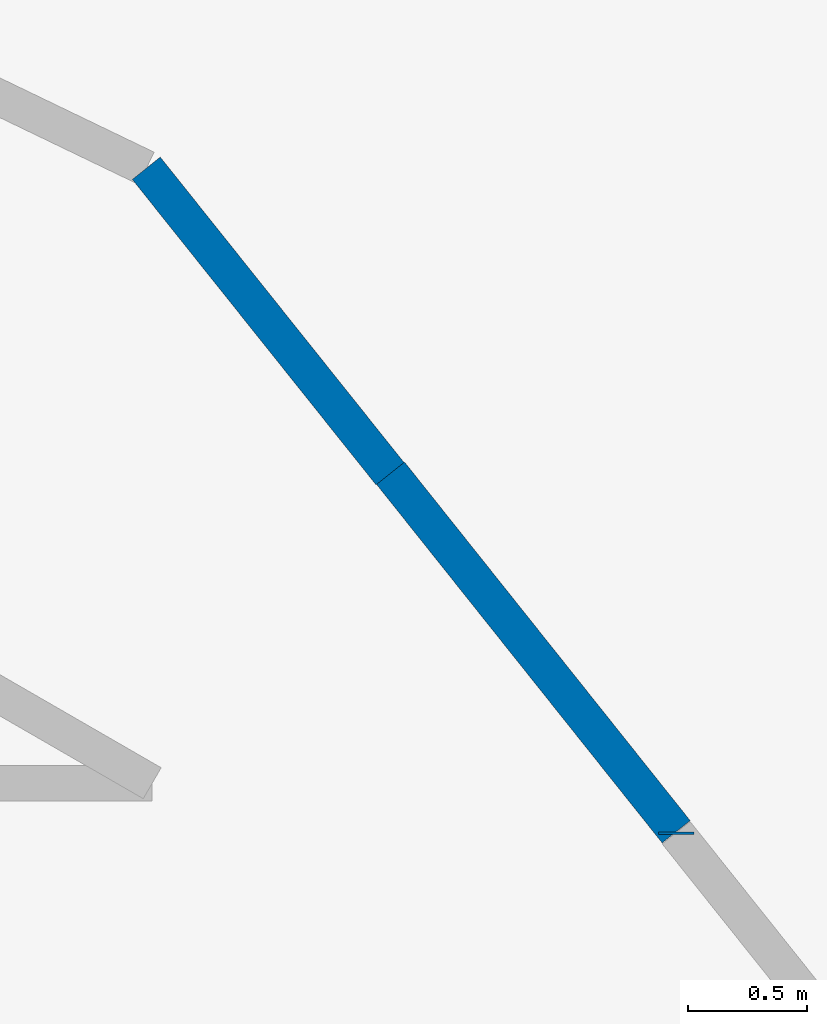
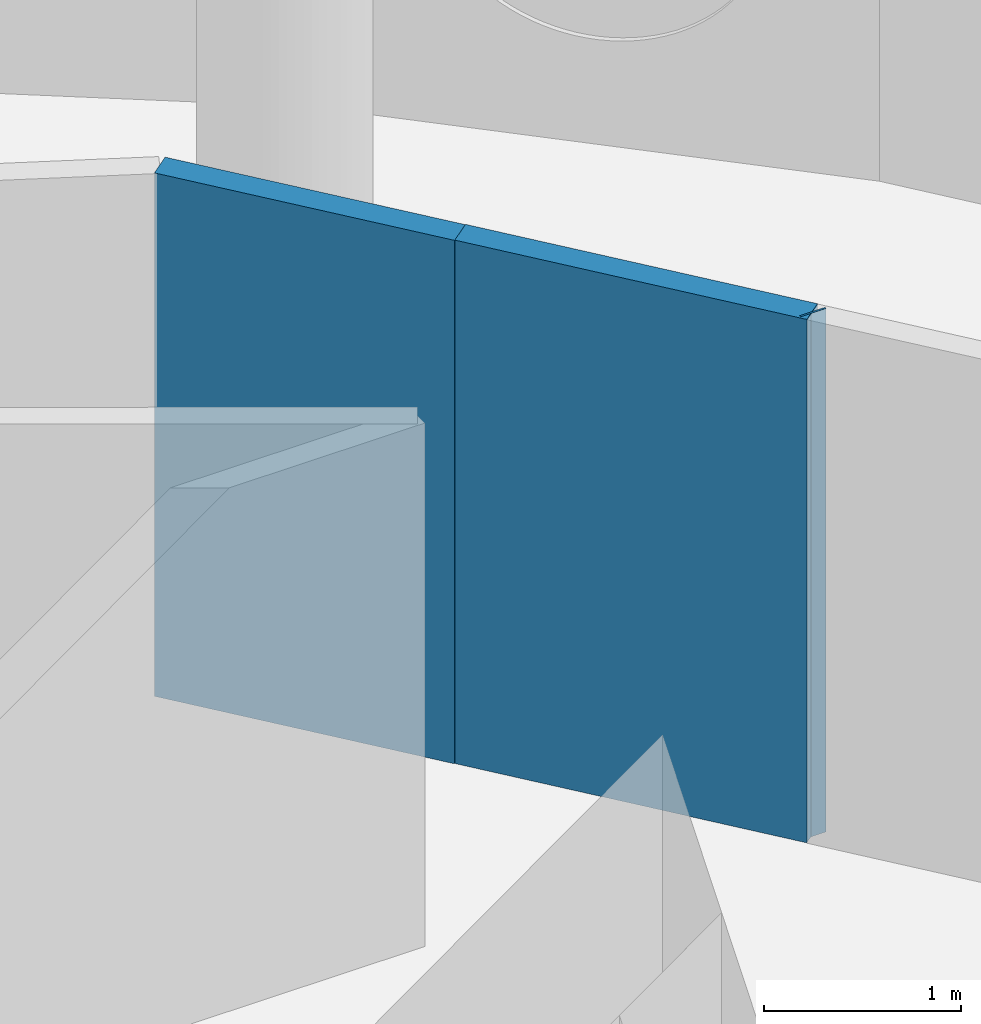
# One storey, part 9 of 13: 3 walls.
"""IFC4 building model written with IfcOpenShell, lengths in metres."""

from ifc_helpers import new_model, si_unit, direction, frame, frame_2d, origin, place, context, subcontext, project, spatial, rectangle, extrude, material, layer, layer_set, type_object, element, save


model = new_model("IFC4")

# Units and contexts
model_context = context("Model", 3, precision=1e-05, world=origin(), true_north=direction((0.0, 1.0)))
body_context = subcontext(model_context, "Body", "Model", "MODEL_VIEW")
ifc_project = project(units=[si_unit("LENGTHUNIT", "METRE"), si_unit("AREAUNIT", "SQUARE_METRE"), si_unit("VOLUMEUNIT", "CUBIC_METRE"), si_unit("PLANEANGLEUNIT", "RADIAN"), si_unit("MASSUNIT", "GRAM", prefix="KILO")], contexts=[model_context])

# Site, building, storey
site_placement = place(None, origin())
site = spatial("IfcSite", under=ifc_project, at=site_placement, CompositionType="ELEMENT")
building_placement = place(site_placement, origin())
building = spatial("IfcBuilding", under=site, at=building_placement, Name="Tracery Tower", CompositionType="ELEMENT")
storey_placement = place(building_placement, frame((0.0, 0.0, 294.60009765625)))
storey = spatial("IfcBuildingStorey", under=building, at=storey_placement, Name="L76", CompositionType="ELEMENT", Elevation=294.60009765625)

# Walls
ifc_material = material(Name="Plasterboard on steel studs", Category="steel")
ifc_layer = layer(ifc_material, 0.14990234375)
ifc_layer_set = layer_set([ifc_layer], Name="Partition 150 corridor wall")
wall_type = type_object("IfcWallType", Name="Partition 150 corridor wall", PredefinedType="PARTITIONING", material=ifc_layer_set)
wall_1_placement = place(storey_placement, frame((10.10107421875, 10.10107421875, 0.0), z_axis=(0.0, 0.0, 1.0), x_axis=(0.623130947784, -0.782117524362, 0.0)))
element("IfcWall", 1, at=wall_1_placement, inside=storey, type_object=wall_type, Name="Corridor wall RC7-004", PredefinedType="PARTITIONING", context=body_context, shape_type="SweptSolid", body=[
    extrude(rectangle(XDim=1.924072265625, YDim=0.14990234375, at=frame_2d((0.9619140625, 0.0))), origin(), (0.0, 0.0, 1.0), 3.25),
])
wall_2_placement = place(storey_placement, frame((11.300048828125, 8.5849609375, 0.0), z_axis=(0.0, 0.0, 1.0), x_axis=(0.0, 1.0, 0.0)))
element("IfcWall", 2, at=wall_2_placement, inside=storey, type_object=wall_type, Name="Corridor wall RC7-006", PredefinedType="PARTITIONING", context=body_context, shape_type="SweptSolid", body=[
    extrude(rectangle(XDim=0.01123046875, YDim=0.14990234375, at=frame_2d((0.005615234375, 0.0))), origin(), (0.0, 0.0, 1.0), 3.25),
])
wall_3_placement = place(storey_placement, frame((9.075927734375, 11.381103515625, 0.0), z_axis=(0.0, 0.0, 1.0), x_axis=(0.623805208652, -0.781579849829, 0.0)))
element("IfcWall", 3, at=wall_3_placement, inside=storey, type_object=wall_type, Name="Corridor wall RC7-027", PredefinedType="PARTITIONING", context=body_context, shape_type="SweptSolid", body=[
    extrude(rectangle(XDim=1.64013671875, YDim=0.14990234375, at=frame_2d((0.820068359375, 0.0))), origin(), (0.0, 0.0, 1.0), 3.25),
])

save(model, "model.ifc")
